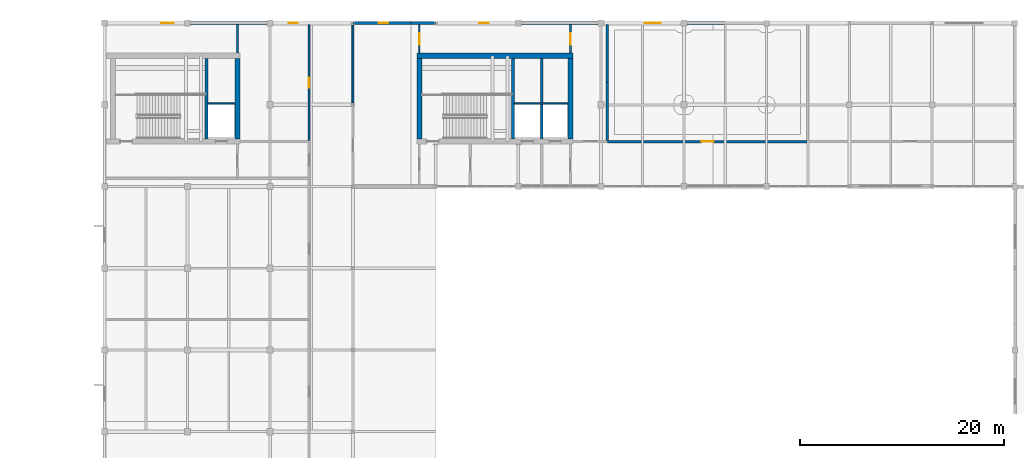
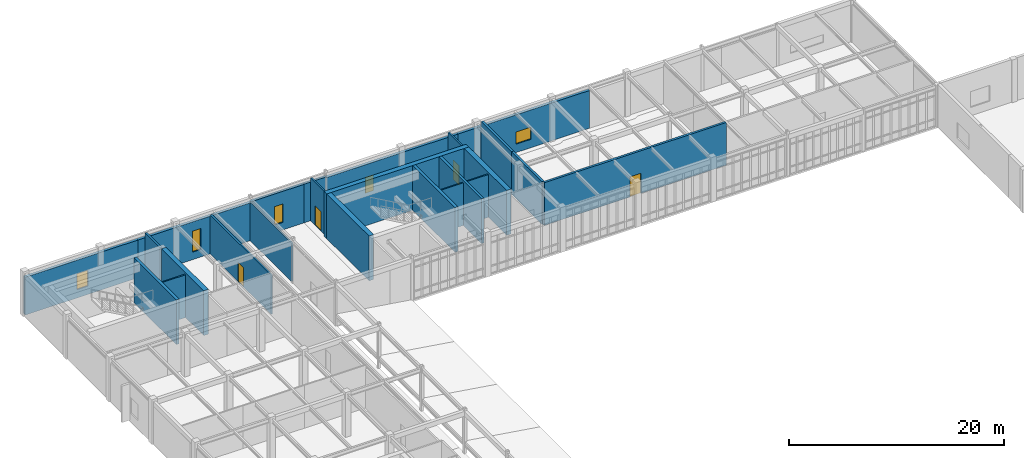
# One storey, part 63 of 70: 23 walls, 5 windows, 4 doors, 9 openings.
"""IFC4 building model written with IfcOpenShell, lengths in metres."""

from ifc_helpers import new_model, si_unit, direction, frame, frame_2d, origin, place, context, subcontext, project, spatial, rectangle, extrude, material, layer, layer_set, type_object, element, fill, save


model = new_model("IFC4")

# Units and contexts
model_context = context("Model", 3, precision=1e-05, world=origin(), true_north=direction((0.0, 1.0)))
body_context = subcontext(model_context, "Body", "Model", "MODEL_VIEW")
ifc_project = project(units=[si_unit("LENGTHUNIT", "METRE"), si_unit("AREAUNIT", "SQUARE_METRE"), si_unit("VOLUMEUNIT", "CUBIC_METRE"), si_unit("PLANEANGLEUNIT", "RADIAN"), si_unit("MASSUNIT", "GRAM", prefix="KILO")], contexts=[model_context])

# Site, building, storey
site_placement = place(None, origin())
site = spatial("IfcSite", under=ifc_project, at=site_placement, CompositionType="ELEMENT")
building_placement = place(site_placement, origin())
building = spatial("IfcBuilding", under=site, at=building_placement, Name="Tarnveldt Square Police Headquarters", CompositionType="ELEMENT")
storey_placement = place(building_placement, frame((0.0, 0.0, 19.800048828125)))
storey = spatial("IfcBuildingStorey", under=building, at=storey_placement, Name="L04", CompositionType="ELEMENT", Elevation=19.800048828125)

# Walls
ifc_material_1 = material(Name="Fire-rated Type X gypsum board on steel studs", Category="steel")
ifc_layer_1 = layer(ifc_material_1, 0.199951171875)
ifc_layer_set_1 = layer_set([ifc_layer_1], Name="Fire-rated Type X gypsum board on steel studs")
wall_type_1 = type_object("IfcWallType", Name="WL-ACOUST-200", PredefinedType="PARTITIONING", material=ifc_layer_set_1)
wall_1_placement = place(storey_placement, frame((29.199951171875, 109.05810546875, 0.0), z_axis=(0.0, 0.0, 1.0), x_axis=(0.0, 1.0, 0.0)))
element("IfcWall", 1, at=wall_1_placement, inside=storey, type_object=wall_type_1, Name="L04 Interior Partition Wall 0570", PredefinedType="PARTITIONING", context=body_context, shape_type="SweptSolid", body=[
    extrude(rectangle(XDim=2.783935546875, YDim=0.199951171875, at=frame_2d((1.39208984375, 0.0))), origin(), (0.0, 0.0, 1.0), 4.85986328125),
])
ifc_material_2 = material(Name="Concrete 50 MPa", Category="concrete")
ifc_layer_2 = layer(ifc_material_2, 0.449951171875)
ifc_layer_set_2 = layer_set([ifc_layer_2], Name="Concrete 50 MPa")
wall_type_2 = type_object("IfcWallType", Name="WL-CORE-450", PredefinedType="SHEAR", material=ifc_layer_set_2)
for number, where, z_axis, x_axis, name in (
    (2, (26.14990234375, 100.64990234375, 0.0), (0.0, 0.0, 1.0), (0.0, 1.0, 0.0), "Core K2 North-West Operations Core L04 Stair-Lift Divider Shear Wall"),
    (3, (56.14990234375, 100.64990234375, 0.0), (0.0, 0.0, 1.0), (0.0, 1.0, 0.0), "Core K3 North-Central Forensic and Firefighting Core L04 Stair-Lift Divider Shear Wall"),
):
    element("IfcWall", number, at=place(storey_placement, frame(where, z_axis=z_axis, x_axis=x_axis)), inside=storey, type_object=wall_type_2, Name=name, PredefinedType="SHEAR", context=body_context, shape_type="SweptSolid", body=[
        extrude(rectangle(XDim=7.900146484375, YDim=0.300048828125, at=frame_2d((3.9501953125, 0.0))), origin(), (0.0, 0.0, 1.0), 5.099853515625),
    ])
wall_2_placement = place(storey_placement, frame((58.97509765625, 100.64990234375, 0.0), z_axis=(0.0, 0.0, 1.0), x_axis=(0.0, 1.0, 0.0)))
element("IfcWall", 4, at=wall_2_placement, inside=storey, type_object=wall_type_2, Name="Core K3 North-Central Forensic and Firefighting Core L04 Dual-Lift Shaft Divider Wall", PredefinedType="SHEAR", context=body_context, shape_type="SweptSolid", body=[
    extrude(rectangle(XDim=7.900146484375, YDim=0.25, at=frame_2d((3.9501953125, 0.0))), origin(), (0.0, 0.0, 1.0), 5.099853515625),
])
ifc_layer_3 = layer(ifc_material_2, 0.5)
ifc_layer_set_3 = layer_set([ifc_layer_3], Name="Concrete 50 MPa")
wall_type_3 = type_object("IfcWallType", Name="WL-CORE-500", PredefinedType="SHEAR", material=ifc_layer_set_3)
wall_3_placement = place(storey_placement, frame((29.199951171875, 100.64990234375, 0.0), z_axis=(0.0, 0.0, 1.0), x_axis=(0.0, 1.0, 0.0)))
element("IfcWall", 5, at=wall_3_placement, inside=storey, type_object=wall_type_3, Name="Core K2 North-West Operations Core L04 East Shear Wall", PredefinedType="SHEAR", context=body_context, shape_type="SweptSolid", body=[
    extrude(rectangle(XDim=7.900146484375, YDim=0.5, at=frame_2d((3.9501953125, 0.0))), origin(), (0.0, 0.0, 1.0), 5.099853515625),
])
wall_4_placement = place(storey_placement, frame((46.75, 108.800048828125, 0.0), z_axis=(0.0, 0.0, 1.0), x_axis=(1.0, 0.0, 0.0)))
element("IfcWall", 6, at=wall_4_placement, inside=storey, type_object=wall_type_3, Name="Core K3 North-Central Forensic and Firefighting Core L04 North Shear Wall", PredefinedType="SHEAR", context=body_context, shape_type="SweptSolid", body=[
    extrude(rectangle(XDim=15.300048828125, YDim=0.5, at=frame_2d((7.64990234375, 0.0))), origin(), (0.0, 0.0, 1.0), 5.099853515625),
])
for number, where, z_axis, x_axis, name in (
    (7, (47.0, 100.64990234375, 0.0), (0.0, 0.0, 1.0), (0.0, 1.0, 0.0), "Core K3 North-Central Forensic and Firefighting Core L04 West Shear Wall"),
    (8, (61.800048828125, 100.64990234375, 0.0), (0.0, 0.0, 1.0), (0.0, 1.0, 0.0), "Core K3 North-Central Forensic and Firefighting Core L04 East Shear Wall"),
):
    element("IfcWall", number, at=place(storey_placement, frame(where, z_axis=z_axis, x_axis=x_axis)), inside=storey, type_object=wall_type_3, Name=name, PredefinedType="SHEAR", context=body_context, shape_type="SweptSolid", body=[
        extrude(rectangle(XDim=7.900146484375, YDim=0.5, at=frame_2d((3.9501953125, 0.0))), origin(), (0.0, 0.0, 1.0), 5.099853515625),
    ])

# Wall, opening, window
ifc_material_3 = material(Name="Concrete 40 MPa", Category="concrete")
ifc_layer_4 = layer(ifc_material_3, 0.320068359375)
ifc_layer_set_4 = layer_set([ifc_layer_4], Name="Concrete 40 MPa")
wall_type_4 = type_object("IfcWallType", Name="WL-EXT-BH320", PredefinedType="SOLIDWALL", material=ifc_layer_set_4)
wall_5_placement = place(storey_placement, frame((46.199951171875, 112.0, 0.0), z_axis=(0.0, 0.0, 1.0), x_axis=(-1.0, 0.0, 0.0)))
wall_5 = element("IfcWall", 9, at=wall_5_placement, inside=storey, type_object=wall_type_4, Name="L04 Brutalist Exterior Wall 0195", PredefinedType="SOLIDWALL", context=body_context, shape_type="SweptSolid", body=[
    extrude(rectangle(XDim=5.699951171875, YDim=0.320068359375, at=frame_2d((2.85009765625, 0.0))), origin(), (0.0, 0.0, 1.0), 4.388916015625),
])
opening_1_placement = place(wall_5_placement, frame((2.25, 0.0, 0.85009765625)))
opening_1 = element("IfcOpeningElement", 10, at=opening_1_placement, cuts=wall_5, Name="Opening W02", PredefinedType="OPENING", context=body_context, shape_type="SweptSolid", body=[
    extrude(rectangle(XDim=0.89990234375, YDim=2.10009765625, at=frame_2d((0.449951171875, 1.050048828125))), frame((0.0, 0.169921875, 0.0), z_axis=(0.0, -1.0, 0.0), x_axis=(1.0, 0.0, 0.0)), (0.0, 0.0, 1.0), 0.340087890625),
])
ifc_material_4 = material(Name="Triple-glazed low-e laminated vision glass", Category="glass")
window_type_1 = type_object("IfcWindowType", Name="WIN-DR-090x210", PartitioningType="SINGLE_PANEL", PredefinedType="WINDOW", material=ifc_material_4)
window_1_placement = place(opening_1_placement, origin())
window_1 = element("IfcWindow", 11, at=window_1_placement, inside=storey, type_object=window_type_1, Name="L04 Deep-Reveal Brutalist Window 0098", OverallHeight=2.10009765625, OverallWidth=0.89990234375, PartitioningType="SINGLE_PANEL", PredefinedType="WINDOW", context=body_context, shape_type="SweptSolid", body=[
    extrude(rectangle(XDim=0.89990234375, YDim=2.10009765625, at=frame_2d((0.449951171875, 1.050048828125))), frame((0.0, 0.030029296875, 0.0), z_axis=(0.0, -1.0, 0.0), x_axis=(1.0, 0.0, 0.0)), (0.0, 0.0, 1.0), 0.06005859375),
])
fill(opening_1, window_1)

ifc_material_5 = material(Name="Manganese ironspot clay brick masonry 20 MPa", Category="masonry")
ifc_layer_5 = layer(ifc_material_5, 0.300048828125)
ifc_layer_set_5 = layer_set([ifc_layer_5], Name="Manganese ironspot clay brick masonry 20 MPa")
wall_type_5 = type_object("IfcWallType", Name="WL-EXT-BRK300", PredefinedType="SOLIDWALL", material=ifc_layer_set_5)
wall_6_placement = place(storey_placement, frame((76.949951171875, 112.0, 0.0), z_axis=(0.0, 0.0, 1.0), x_axis=(-1.0, 0.0, 0.0)))
wall_6 = element("IfcWall", 12, at=wall_6_placement, inside=storey, type_object=wall_type_5, Name="L04 Brutalist Exterior Wall 0192", PredefinedType="SOLIDWALL", context=body_context, shape_type="SweptSolid", body=[
    extrude(rectangle(XDim=14.175048828125, YDim=0.300048828125, at=frame_2d((7.08740234375, 0.0))), origin(), (0.0, 0.0, 1.0), 4.302001953125),
])
opening_2_placement = place(wall_6_placement, frame((6.300048828125, 0.0, 0.949951171875)))
opening_2 = element("IfcOpeningElement", 13, at=opening_2_placement, cuts=wall_6, Name="Opening W24", PredefinedType="OPENING", context=body_context, shape_type="SweptSolid", body=[
    extrude(rectangle(XDim=1.60009765625, YDim=1.39990234375, at=frame_2d((0.800048828125, 0.699951171875))), frame((0.0, 0.159912109375, 0.0), z_axis=(0.0, -1.0, 0.0), x_axis=(1.0, 0.0, 0.0)), (0.0, 0.0, 1.0), 0.320068359375),
])
ifc_material_6 = material(Name="UL 752 Level III laminated ballistic vision glass", Category="glass")
window_type_2 = type_object("IfcWindowType", Name="WIN-BAL-160x140", PartitioningType="SINGLE_PANEL", PredefinedType="WINDOW", material=ifc_material_6)
window_2_placement = place(opening_2_placement, origin())
window_2 = element("IfcWindow", 14, at=window_2_placement, inside=storey, type_object=window_type_2, Name="L04 Deep-Reveal Brutalist Window 0096", OverallHeight=1.39990234375, OverallWidth=1.60009765625, PartitioningType="SINGLE_PANEL", PredefinedType="WINDOW", context=body_context, shape_type="SweptSolid", body=[
    extrude(rectangle(XDim=1.60009765625, YDim=1.39990234375, at=frame_2d((0.800048828125, 0.699951171875))), frame((0.0, 0.030029296875, 0.0), z_axis=(0.0, -1.0, 0.0), x_axis=(1.0, 0.0, 0.0)), (0.0, 0.0, 1.0), 0.06005859375),
])
fill(opening_2, window_2)

wall_7_placement = place(storey_placement, frame((62.77490234375, 112.0, 0.0), z_axis=(0.0, 0.0, 1.0), x_axis=(-1.0, 0.0, 0.0)))
wall_7 = element("IfcWall", 15, at=wall_7_placement, inside=storey, type_object=wall_type_5, Name="L04 Brutalist Exterior Wall 0193", PredefinedType="SOLIDWALL", context=body_context, shape_type="SweptSolid", body=[
    extrude(rectangle(XDim=14.1748046875, YDim=0.300048828125, at=frame_2d((7.08740234375, 0.0))), origin(), (0.0, 0.0, 1.0), 4.302001953125),
])
opening_3_placement = place(wall_7_placement, frame((9.0, 0.0, 0.949951171875)))
opening_3 = element("IfcOpeningElement", 16, at=opening_3_placement, cuts=wall_7, Name="Opening W01", PredefinedType="OPENING", context=body_context, shape_type="SweptSolid", body=[
    extrude(rectangle(XDim=0.89990234375, YDim=1.800048828125, at=frame_2d((0.449951171875, 0.89990234375))), frame((0.0, 0.159912109375, 0.0), z_axis=(0.0, -1.0, 0.0), x_axis=(1.0, 0.0, 0.0)), (0.0, 0.0, 1.0), 0.320068359375),
])
window_type_3 = type_object("IfcWindowType", Name="WIN-DR-090x180", PartitioningType="SINGLE_PANEL", PredefinedType="WINDOW", material=ifc_material_4)
window_3_placement = place(opening_3_placement, origin())
window_3 = element("IfcWindow", 17, at=window_3_placement, inside=storey, type_object=window_type_3, Name="L04 Deep-Reveal Brutalist Window 0097", OverallHeight=1.800048828125, OverallWidth=0.89990234375, PartitioningType="SINGLE_PANEL", PredefinedType="WINDOW", context=body_context, shape_type="SweptSolid", body=[
    extrude(rectangle(XDim=0.89990234375, YDim=1.800048828125, at=frame_2d((0.449951171875, 0.89990234375))), frame((0.0, 0.030029296875, 0.0), z_axis=(0.0, -1.0, 0.0), x_axis=(1.0, 0.0, 0.0)), (0.0, 0.0, 1.0), 0.06005859375),
])
fill(opening_3, window_3)

# Wall
wall_8_placement = place(storey_placement, frame((48.60009765625, 112.0, 0.0), z_axis=(0.0, 0.0, 1.0), x_axis=(-1.0, 0.0, 0.0)))
element("IfcWall", 18, at=wall_8_placement, inside=storey, type_object=wall_type_5, Name="L04 Brutalist Exterior Wall 0194", PredefinedType="SOLIDWALL", context=body_context, shape_type="SweptSolid", body=[
    extrude(rectangle(XDim=2.400146484375, YDim=0.300048828125, at=frame_2d((1.2001953125, 0.0))), origin(), (0.0, 0.0, 1.0), 4.388916015625),
])

# Wall, opening, window
wall_9_placement = place(storey_placement, frame((40.5, 112.0, 0.0), z_axis=(0.0, 0.0, 1.0), x_axis=(-1.0, 0.0, 0.0)))
wall_9 = element("IfcWall", 19, at=wall_9_placement, inside=storey, type_object=wall_type_5, Name="L04 Brutalist Exterior Wall 0196", PredefinedType="SOLIDWALL", context=body_context, shape_type="SweptSolid", body=[
    extrude(rectangle(XDim=12.14990234375, YDim=0.300048828125, at=frame_2d((6.074951171875, 0.0))), origin(), (0.0, 0.0, 1.0), 4.302001953125),
])
opening_4_placement = place(wall_9_placement, frame((5.39990234375, 0.0, 0.85009765625)))
opening_4 = element("IfcOpeningElement", 20, at=opening_4_placement, cuts=wall_9, Name="Opening W03", PredefinedType="OPENING", context=body_context, shape_type="SweptSolid", body=[
    extrude(rectangle(XDim=0.89990234375, YDim=2.39990234375, at=frame_2d((0.449951171875, 1.199951171875))), frame((0.0, 0.159912109375, 0.0), z_axis=(0.0, -1.0, 0.0), x_axis=(1.0, 0.0, 0.0)), (0.0, 0.0, 1.0), 0.320068359375),
])
window_type_4 = type_object("IfcWindowType", Name="WIN-DR-090x240", PartitioningType="DOUBLE_PANEL_HORIZONTAL", PredefinedType="WINDOW", material=ifc_material_4)
window_4_placement = place(opening_4_placement, origin())
window_4 = element("IfcWindow", 21, at=window_4_placement, inside=storey, type_object=window_type_4, Name="L04 Deep-Reveal Brutalist Window 0099", OverallHeight=2.39990234375, OverallWidth=0.89990234375, PartitioningType="DOUBLE_PANEL_HORIZONTAL", PredefinedType="WINDOW", context=body_context, shape_type="SweptSolid", body=[
    extrude(rectangle(XDim=0.89990234375, YDim=2.39990234375, at=frame_2d((0.449951171875, 1.199951171875))), frame((0.0, 0.030029296875, 0.0), z_axis=(0.0, -1.0, 0.0), x_axis=(1.0, 0.0, 0.0)), (0.0, 0.0, 1.0), 0.06005859375),
])
fill(opening_4, window_4)

wall_10_placement = place(storey_placement, frame((28.35009765625, 112.0, 0.0), z_axis=(0.0, 0.0, 1.0), x_axis=(-1.0, 0.0, 0.0)))
wall_10 = element("IfcWall", 22, at=wall_10_placement, inside=storey, type_object=wall_type_5, Name="L04 Brutalist Exterior Wall 0197", PredefinedType="SOLIDWALL", context=body_context, shape_type="SweptSolid", body=[
    extrude(rectangle(XDim=12.150146484375, YDim=0.300048828125, at=frame_2d((6.0751953125, 0.0))), origin(), (0.0, 0.0, 1.0), 4.302001953125),
])
opening_5_placement = place(wall_10_placement, frame((5.39990234375, 0.0, 0.949951171875)))
opening_5 = element("IfcOpeningElement", 23, at=opening_5_placement, cuts=wall_10, Name="Opening W04", PredefinedType="OPENING", context=body_context, shape_type="SweptSolid", body=[
    extrude(rectangle(XDim=1.199951171875, YDim=1.800048828125, at=frame_2d((0.60009765625, 0.89990234375))), frame((0.0, 0.159912109375, 0.0), z_axis=(0.0, -1.0, 0.0), x_axis=(1.0, 0.0, 0.0)), (0.0, 0.0, 1.0), 0.320068359375),
])
window_type_5 = type_object("IfcWindowType", Name="WIN-DR-120x180", PartitioningType="SINGLE_PANEL", PredefinedType="WINDOW", material=ifc_material_4)
window_5_placement = place(opening_5_placement, origin())
window_5 = element("IfcWindow", 24, at=window_5_placement, inside=storey, type_object=window_type_5, Name="L04 Deep-Reveal Brutalist Window 0100", OverallHeight=1.800048828125, OverallWidth=1.199951171875, PartitioningType="SINGLE_PANEL", PredefinedType="WINDOW", context=body_context, shape_type="SweptSolid", body=[
    extrude(rectangle(XDim=1.199951171875, YDim=1.800048828125, at=frame_2d((0.60009765625, 0.89990234375))), frame((0.0, 0.030029296875, 0.0), z_axis=(0.0, -1.0, 0.0), x_axis=(1.0, 0.0, 0.0)), (0.0, 0.0, 1.0), 0.06005859375),
])
fill(opening_5, window_5)

# Wall, opening, door
ifc_layer_6 = layer(ifc_material_1, 0.179931640625)
ifc_layer_set_6 = layer_set([ifc_layer_6], Name="Fire-rated Type X gypsum board on steel studs")
wall_type_6 = type_object("IfcWallType", Name="WL-FIRE-180", PredefinedType="PARTITIONING", material=ifc_layer_set_6)
wall_11_placement = place(storey_placement, frame((36.199951171875, 100.498046875, 0.0), z_axis=(0.0, 0.0, 1.0), x_axis=(0.0, 1.0, 0.0)))
wall_11 = element("IfcWall", 25, at=wall_11_placement, inside=storey, type_object=wall_type_6, Name="L04 Interior Partition Wall 0583", PredefinedType="PARTITIONING", context=body_context, shape_type="SweptSolid", body=[
    extrude(rectangle(XDim=11.343994140625, YDim=0.179931640625, at=frame_2d((5.671875, 0.0))), origin(), (0.0, 0.0, 1.0), 4.445068359375),
])
opening_6_placement = place(wall_11_placement, frame((5.172119140625, 0.0, 0.0)))
opening_6 = element("IfcOpeningElement", 26, at=opening_6_placement, cuts=wall_11, Name="Opening D05", PredefinedType="OPENING", context=body_context, shape_type="SweptSolid", body=[
    extrude(rectangle(XDim=1.0, YDim=2.199951171875, at=frame_2d((0.5, 1.10009765625))), frame((0.0, 0.099853515625, 0.0), z_axis=(0.0, -1.0, 0.0), x_axis=(1.0, 0.0, 0.0)), (0.0, 0.0, 1.0), 0.199951171875),
])
ifc_material_7 = material(Name="Solid core architectural birch door leaf", Category="wood")
door_type_1 = type_object("IfcDoorType", Name="DR-INT-1000", OperationType="NOTDEFINED", PredefinedType="DOOR", material=ifc_material_7)
door_1_placement = place(opening_6_placement, origin())
door_1 = element("IfcDoor", 27, at=door_1_placement, inside=storey, type_object=door_type_1, Name="Intelligence Directorate Briefing Room Door", OperationType="SINGLE_SWING_LEFT", OverallHeight=2.199951171875, OverallWidth=1.0, PredefinedType="DOOR", context=body_context, shape_type="SweptSolid", body=[
    extrude(rectangle(XDim=1.0, YDim=2.199951171875, at=frame_2d((0.5, 1.10009765625))), frame((0.0, 0.02490234375, 0.0), z_axis=(0.0, -1.0, 0.0), x_axis=(1.0, 0.0, 0.0)), (0.0, 0.0, 1.0), 0.050048828125),
])
fill(opening_6, door_1)

# Wall
wall_12_placement = place(storey_placement, frame((40.5, 104.160400390625, 0.0), z_axis=(0.0, 0.0, 1.0), x_axis=(0.0, 1.0, 0.0)))
element("IfcWall", 28, at=wall_12_placement, inside=storey, type_object=wall_type_6, Name="L04 Interior Partition Wall 0585", PredefinedType="PARTITIONING", context=body_context, shape_type="SweptSolid", body=[
    extrude(rectangle(XDim=7.671630859375, YDim=0.179931640625, at=frame_2d((3.8359375, 0.0))), origin(), (0.0, 0.0, 1.0), 4.388916015625),
])

# Wall, opening, door
wall_13_placement = place(storey_placement, frame((47.0, 109.05810546875, 0.0), z_axis=(0.0, 0.0, 1.0), x_axis=(0.0, 1.0, 0.0)))
wall_13 = element("IfcWall", 29, at=wall_13_placement, inside=storey, type_object=wall_type_6, Name="L04 Interior Partition Wall 0587", PredefinedType="PARTITIONING", context=body_context, shape_type="SweptSolid", body=[
    extrude(rectangle(XDim=2.783935546875, YDim=0.179931640625, at=frame_2d((1.39208984375, 0.0))), origin(), (0.0, 0.0, 1.0), 4.85986328125),
])
opening_7_placement = place(wall_13_placement, frame((0.842041015625, 0.0, 0.0)))
opening_7 = element("IfcOpeningElement", 30, at=opening_7_placement, cuts=wall_13, Name="Opening D15", PredefinedType="OPENING", context=body_context, shape_type="SweptSolid", body=[
    extrude(rectangle(XDim=1.10009765625, YDim=2.199951171875, at=frame_2d((0.550048828125, 1.10009765625))), frame((0.0, 0.099853515625, 0.0), z_axis=(0.0, -1.0, 0.0), x_axis=(1.0, 0.0, 0.0)), (0.0, 0.0, 1.0), 0.199951171875),
])
ifc_material_8 = material(Name="Insulated hollow metal steel door leaf", Category="steel")
door_type_2 = type_object("IfcDoorType", Name="DR-FD60-1100", OperationType="NOTDEFINED", PredefinedType="DOOR", material=ifc_material_8)
door_2_placement = place(opening_7_placement, frame((1.10009765625, 0.0, 0.0), z_axis=(0.0, 0.0, 1.0), x_axis=(-1.0, 0.0, 0.0)))
door_2 = element("IfcDoor", 31, at=door_2_placement, inside=storey, type_object=door_type_2, Name="Core K3 North Corridor L04 Door", OperationType="SINGLE_SWING_RIGHT", OverallHeight=2.199951171875, OverallWidth=1.10009765625, PredefinedType="DOOR", context=body_context, shape_type="SweptSolid", body=[
    extrude(rectangle(XDim=1.10009765625, YDim=2.199951171875, at=frame_2d((0.550048828125, 1.10009765625))), frame((0.0, 0.02490234375, 0.0), z_axis=(0.0, -1.0, 0.0), x_axis=(1.0, 0.0, 0.0)), (0.0, 0.0, 1.0), 0.050048828125),
])
fill(opening_7, door_2)

wall_14_placement = place(storey_placement, frame((61.800048828125, 109.05810546875, 0.0), z_axis=(0.0, 0.0, 1.0), x_axis=(0.0, 1.0, 0.0)))
wall_14 = element("IfcWall", 32, at=wall_14_placement, inside=storey, type_object=wall_type_6, Name="L04 Interior Partition Wall 0594", PredefinedType="PARTITIONING", context=body_context, shape_type="SweptSolid", body=[
    extrude(rectangle(XDim=2.783935546875, YDim=0.179931640625, at=frame_2d((1.39208984375, 0.0))), origin(), (0.0, 0.0, 1.0), 4.85986328125),
])
opening_8_placement = place(wall_14_placement, frame((0.842041015625, 0.0, 0.0)))
opening_8 = element("IfcOpeningElement", 33, at=opening_8_placement, cuts=wall_14, Name="Opening D15", PredefinedType="OPENING", context=body_context, shape_type="SweptSolid", body=[
    extrude(rectangle(XDim=1.10009765625, YDim=2.199951171875, at=frame_2d((0.550048828125, 1.10009765625))), frame((0.0, 0.099853515625, 0.0), z_axis=(0.0, -1.0, 0.0), x_axis=(1.0, 0.0, 0.0)), (0.0, 0.0, 1.0), 0.199951171875),
])
door_3_placement = place(opening_8_placement, origin())
door_3 = element("IfcDoor", 34, at=door_3_placement, inside=storey, type_object=door_type_2, Name="Core K3 North Corridor L04 Secondary Door", OperationType="SINGLE_SWING_LEFT", OverallHeight=2.199951171875, OverallWidth=1.10009765625, PredefinedType="DOOR", context=body_context, shape_type="SweptSolid", body=[
    extrude(rectangle(XDim=1.10009765625, YDim=2.199951171875, at=frame_2d((0.550048828125, 1.10009765625))), frame((0.0, 0.02490234375, 0.0), z_axis=(0.0, -1.0, 0.0), x_axis=(1.0, 0.0, 0.0)), (0.0, 0.0, 1.0), 0.050048828125),
])
fill(opening_8, door_3)

ifc_material_9 = material(Name="Concrete block masonry 15 MPa", Category="masonry")
ifc_layer_7 = layer(ifc_material_9, 0.239990234375)
ifc_layer_set_7 = layer_set([ifc_layer_7], Name="Concrete block masonry 15 MPa")
wall_type_7 = type_object("IfcWallType", Name="WL-FIRE-240", PredefinedType="PARTITIONING", material=ifc_layer_set_7)
wall_15_placement = place(storey_placement, frame((65.39990234375, 100.39990234375, 0.0), z_axis=(0.0, 0.0, 1.0), x_axis=(1.0, 0.0, 0.0)))
wall_15 = element("IfcWall", 35, at=wall_15_placement, inside=storey, type_object=wall_type_7, Name="L04 Interior Partition Wall 0561", PredefinedType="PARTITIONING", context=body_context, shape_type="SweptSolid", body=[
    extrude(rectangle(XDim=19.60009765625, YDim=0.239990234375, at=frame_2d((9.800048828125, 0.0))), origin(), (0.0, 0.0, 1.0), 4.85986328125),
])
opening_9_placement = place(wall_15_placement, frame((9.199951171875, 0.0, 0.0)))
opening_9 = element("IfcOpeningElement", 36, at=opening_9_placement, cuts=wall_15, Name="Opening D10", PredefinedType="OPENING", context=body_context, shape_type="SweptSolid", body=[
    extrude(rectangle(XDim=1.199951171875, YDim=2.300048828125, at=frame_2d((0.60009765625, 1.14990234375))), frame((0.0, 0.1298828125, 0.0), z_axis=(0.0, -1.0, 0.0), x_axis=(1.0, 0.0, 0.0)), (0.0, 0.0, 1.0), 0.260009765625),
])
door_type_3 = type_object("IfcDoorType", Name="DR-LAB-1200", OperationType="NOTDEFINED", PredefinedType="DOOR", material=ifc_material_8)
door_4_placement = place(opening_9_placement, origin())
door_4 = element("IfcDoor", 37, at=door_4_placement, inside=storey, type_object=door_type_3, Name="Forensic Firearms and Water-Tank Ballistics Laboratory Door", OperationType="SINGLE_SWING_RIGHT", OverallHeight=2.300048828125, OverallWidth=1.199951171875, PredefinedType="DOOR", context=body_context, shape_type="SweptSolid", body=[
    extrude(rectangle(XDim=1.199951171875, YDim=2.300048828125, at=frame_2d((0.60009765625, 1.14990234375))), frame((0.0, 0.02490234375, 0.0), z_axis=(0.0, -1.0, 0.0), x_axis=(1.0, 0.0, 0.0)), (0.0, 0.0, 1.0), 0.050048828125),
])
fill(opening_9, door_4)

# Walls
for number, where, z_axis, x_axis, name in (
    (38, (65.39990234375, 100.528076171875, 0.0), (0.0, 0.0, 1.0), (0.0, 1.0, 0.0), "L04 Interior Partition Wall 0595"),
    (39, (65.39990234375, 106.18505859375, 0.0), (0.0, 0.0, 1.0), (0.0, 1.0, 0.0), "L04 Interior Partition Wall 0596"),
):
    element("IfcWall", number, at=place(storey_placement, frame(where, z_axis=z_axis, x_axis=x_axis)), inside=storey, type_object=wall_type_7, Name=name, PredefinedType="PARTITIONING", context=body_context, shape_type="SweptSolid", body=[
        extrude(rectangle(XDim=5.656982421875, YDim=0.239990234375, at=frame_2d((2.82861328125, 0.0))), origin(), (0.0, 0.0, 1.0), 4.85986328125),
    ])
ifc_layer_8 = layer(ifc_material_1, 0.14990234375)
ifc_layer_set_8 = layer_set([ifc_layer_8], Name="Fire-rated Type X gypsum board on steel studs")
wall_type_8 = type_object("IfcWallType", Name="WL-SHAFT-150", PredefinedType="PARTITIONING", material=ifc_layer_set_8)
wall_16_placement = place(storey_placement, frame((26.300048828125, 104.1201171875, 0.0), z_axis=(0.0, 0.0, 1.0), x_axis=(1.0, 0.0, 0.0)))
element("IfcWall", 40, at=wall_16_placement, inside=storey, type_object=wall_type_8, Name="K2 L04 Elevator Shaft Back Wall", PredefinedType="PARTITIONING", context=body_context, shape_type="SweptSolid", body=[
    extrude(rectangle(XDim=2.64990234375, YDim=0.14990234375, at=frame_2d((1.324951171875, 0.0))), origin(), (0.0, 0.0, 1.0), 4.85986328125),
])
wall_17_placement = place(storey_placement, frame((56.300048828125, 104.1201171875, 0.0), z_axis=(0.0, 0.0, 1.0), x_axis=(1.0, 0.0, 0.0)))
element("IfcWall", 41, at=wall_17_placement, inside=storey, type_object=wall_type_8, Name="K3 L04 Elevator Shaft Back Wall", PredefinedType="PARTITIONING", context=body_context, shape_type="SweptSolid", body=[
    extrude(rectangle(XDim=5.25, YDim=0.14990234375, at=frame_2d((2.625, 0.0))), origin(), (0.0, 0.0, 1.0), 4.85986328125),
])

save(model, "model.ifc")
